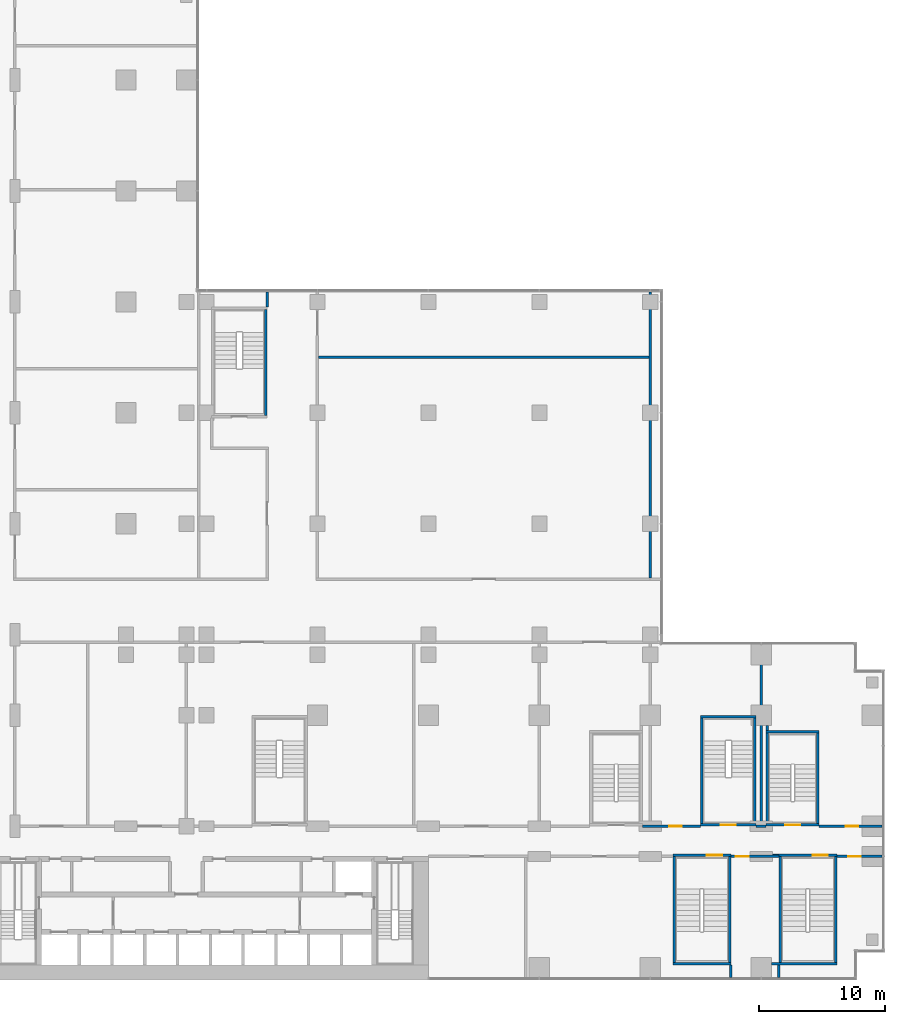
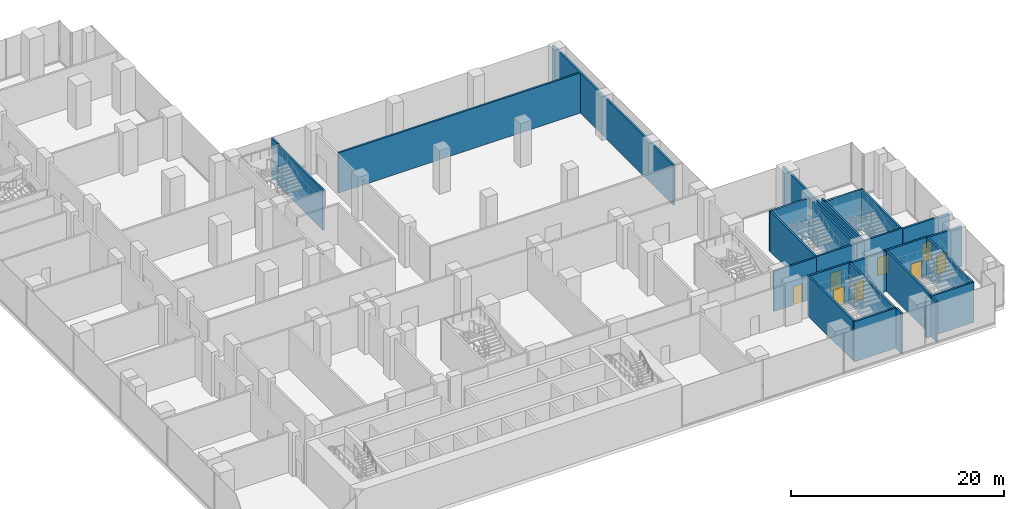
# One storey, part 21 of 30: 28 walls, 8 doors, 8 openings.
"""IFC4 building model written with IfcOpenShell, lengths in metres."""

from ifc_helpers import new_model, si_unit, direction, frame, frame_2d, origin, place, context, subcontext, project, spatial, rectangle, extrude, material, layer, layer_set, type_object, element, fill, save


model = new_model("IFC4")

# Units and contexts
model_context = context("Model", 3, precision=1e-05, world=origin(), true_north=direction((0.0, 1.0)))
body_context = subcontext(model_context, "Body", "Model", "MODEL_VIEW")
ifc_project = project(units=[si_unit("LENGTHUNIT", "METRE"), si_unit("AREAUNIT", "SQUARE_METRE"), si_unit("VOLUMEUNIT", "CUBIC_METRE"), si_unit("PLANEANGLEUNIT", "RADIAN"), si_unit("MASSUNIT", "GRAM", prefix="KILO")], contexts=[model_context])

# Site, building, storey
site_placement = place(None, origin())
site = spatial("IfcSite", under=ifc_project, at=site_placement, CompositionType="ELEMENT")
building_placement = place(site_placement, origin())
building = spatial("IfcBuilding", under=site, at=building_placement, Name="Kemantara Hotel Tower", CompositionType="ELEMENT")
storey_placement = place(building_placement, frame((0.0, 0.0, 13.0)))
storey = spatial("IfcBuildingStorey", under=building, at=storey_placement, Name="L02", CompositionType="ELEMENT", Elevation=13.0)

# Wall, opening, door
ifc_material_1 = material(Name="Concrete fc 40 MPa", Category="concrete")
ifc_layer_1 = layer(ifc_material_1, 0.199951171875)
ifc_layer_set_1 = layer_set([ifc_layer_1], Name="Concrete fc 40 MPa")
wall_type_1 = type_object("IfcWallType", Name="Concrete stair wall 200 mm", PredefinedType="SHEAR", material=ifc_layer_set_1)
wall_1_placement = place(storey_placement, frame((71.800048828125, 12.300048828125, 0.0), z_axis=(0.0, 0.0, 1.0), x_axis=(1.0, 0.0, 0.0)))
wall_1 = element("IfcWall", 1, at=wall_1_placement, inside=storey, type_object=wall_type_1, Name="Stair ST5 enclosure wall with door", PredefinedType="SHEAR", context=body_context, shape_type="SweptSolid", body=[
    extrude(rectangle(XDim=4.199951171875, YDim=0.199951171875, at=frame_2d((2.10009765625, 0.0))), origin(), (0.0, 0.0, 1.0), 4.60009765625),
])
opening_1_placement = place(wall_1_placement, frame((1.5, 0.0, 0.0)))
opening_1 = element("IfcOpeningElement", 2, at=opening_1_placement, cuts=wall_1, Name="Opening ST5-C", PredefinedType="OPENING", context=body_context, shape_type="SweptSolid", body=[
    extrude(rectangle(XDim=1.199951171875, YDim=2.10009765625, at=frame_2d((0.60009765625, 1.050048828125))), frame((0.0, 0.10986328125, 0.0), z_axis=(0.0, -1.0, 0.0), x_axis=(1.0, 0.0, 0.0)), (0.0, 0.0, 1.0), 0.219970703125),
])
ifc_material_2 = material(Name="Steel fire door", Category="steel")
door_type_1 = type_object("IfcDoorType", Name="Fire door FD90 1200 x 2100", OperationType="NOTDEFINED", PredefinedType="DOOR", material=ifc_material_2)
door_1_placement = place(opening_1_placement, origin())
door_1 = element("IfcDoor", 3, at=door_1_placement, inside=storey, type_object=door_type_1, Name="Stair ST5 door", OperationType="SINGLE_SWING_RIGHT", OverallHeight=2.10009765625, OverallWidth=1.199951171875, PredefinedType="DOOR", context=body_context, shape_type="SweptSolid", body=[
    extrude(rectangle(XDim=1.199951171875, YDim=2.10009765625, at=frame_2d((0.60009765625, 1.050048828125))), frame((0.0, 0.02490234375, 0.0), z_axis=(0.0, -1.0, 0.0), x_axis=(1.0, 0.0, 0.0)), (0.0, 0.0, 1.0), 0.050048828125),
])
fill(opening_1, door_1)

# Walls
wall_2_placement = place(storey_placement, frame((71.800048828125, 19.699951171875, 0.0), z_axis=(0.0, 0.0, 1.0), x_axis=(1.0, 0.0, 0.0)))
element("IfcWall", 4, at=wall_2_placement, inside=storey, type_object=wall_type_1, Name="Stair ST5 enclosure wall N", PredefinedType="SHEAR", context=body_context, shape_type="SweptSolid", body=[
    extrude(rectangle(XDim=4.199951171875, YDim=0.199951171875, at=frame_2d((2.10009765625, 0.0))), origin(), (0.0, 0.0, 1.0), 4.60009765625),
])
wall_3_placement = place(storey_placement, frame((71.89990234375, 12.39990234375, 0.0), z_axis=(0.0, 0.0, 1.0), x_axis=(0.0, 1.0, 0.0)))
element("IfcWall", 5, at=wall_3_placement, inside=storey, type_object=wall_type_1, Name="Stair ST5 enclosure wall W", PredefinedType="SHEAR", context=body_context, shape_type="SweptSolid", body=[
    extrude(rectangle(XDim=7.800048828125, YDim=0.199951171875, at=frame_2d((3.89990234375, 0.0))), origin(), (0.0, 0.0, 1.0), 4.60009765625),
])
wall_4_placement = place(storey_placement, frame((75.89990234375, 12.39990234375, 0.0), z_axis=(0.0, 0.0, 1.0), x_axis=(0.0, 1.0, 0.0)))
element("IfcWall", 6, at=wall_4_placement, inside=storey, type_object=wall_type_1, Name="Stair ST5 enclosure wall E", PredefinedType="SHEAR", context=body_context, shape_type="SweptSolid", body=[
    extrude(rectangle(XDim=7.2001953125, YDim=0.199951171875, at=frame_2d((3.60009765625, 0.0))), origin(), (0.0, 0.0, 1.0), 4.60009765625),
])

# Wall, opening, door
wall_5_placement = place(storey_placement, frame((66.60009765625, 12.300048828125, 0.0), z_axis=(0.0, 0.0, 1.0), x_axis=(1.0, 0.0, 0.0)))
wall_5 = element("IfcWall", 7, at=wall_5_placement, inside=storey, type_object=wall_type_1, Name="Stair PS1 enclosure wall with door", PredefinedType="SHEAR", context=body_context, shape_type="SweptSolid", body=[
    extrude(rectangle(XDim=4.39990234375, YDim=0.199951171875, at=frame_2d((2.199951171875, 0.0))), origin(), (0.0, 0.0, 1.0), 4.60009765625),
])
opening_2_placement = place(wall_5_placement, frame((1.60009765625, 0.0, 0.0)))
opening_2 = element("IfcOpeningElement", 8, at=opening_2_placement, cuts=wall_5, Name="Opening PS1-C", PredefinedType="OPENING", context=body_context, shape_type="SweptSolid", body=[
    extrude(rectangle(XDim=1.199951171875, YDim=2.10009765625, at=frame_2d((0.60009765625, 1.050048828125))), frame((0.0, 0.10986328125, 0.0), z_axis=(0.0, -1.0, 0.0), x_axis=(1.0, 0.0, 0.0)), (0.0, 0.0, 1.0), 0.219970703125),
])
door_2_placement = place(opening_2_placement, origin())
door_2 = element("IfcDoor", 9, at=door_2_placement, inside=storey, type_object=door_type_1, Name="Stair PS1 door", OperationType="SINGLE_SWING_RIGHT", OverallHeight=2.10009765625, OverallWidth=1.199951171875, PredefinedType="DOOR", context=body_context, shape_type="SweptSolid", body=[
    extrude(rectangle(XDim=1.199951171875, YDim=2.10009765625, at=frame_2d((0.60009765625, 1.050048828125))), frame((0.0, 0.02490234375, 0.0), z_axis=(0.0, -1.0, 0.0), x_axis=(1.0, 0.0, 0.0)), (0.0, 0.0, 1.0), 0.050048828125),
])
fill(opening_2, door_2)

# Walls
wall_6_placement = place(storey_placement, frame((66.60009765625, 20.89990234375, 0.0), z_axis=(0.0, 0.0, 1.0), x_axis=(1.0, 0.0, 0.0)))
element("IfcWall", 10, at=wall_6_placement, inside=storey, type_object=wall_type_1, Name="Stair PS1 enclosure wall N", PredefinedType="SHEAR", context=body_context, shape_type="SweptSolid", body=[
    extrude(rectangle(XDim=4.39990234375, YDim=0.199951171875, at=frame_2d((2.199951171875, 0.0))), origin(), (0.0, 0.0, 1.0), 4.60009765625),
])
for number, where, z_axis, x_axis, name in (
    (11, (66.699951171875, 12.39990234375, 0.0), (0.0, 0.0, 1.0), (0.0, 1.0, 0.0), "Stair PS1 enclosure wall W"),
    (12, (70.89990234375, 12.39990234375, 0.0), (0.0, 0.0, 1.0), (0.0, 1.0, 0.0), "Stair PS1 enclosure wall E"),
):
    element("IfcWall", number, at=place(storey_placement, frame(where, z_axis=z_axis, x_axis=x_axis)), inside=storey, type_object=wall_type_1, Name=name, PredefinedType="SHEAR", context=body_context, shape_type="SweptSolid", body=[
        extrude(rectangle(XDim=8.400146484375, YDim=0.199951171875, at=frame_2d((4.2001953125, 0.0))), origin(), (0.0, 0.0, 1.0), 4.60009765625),
    ])
wall_7_placement = place(storey_placement, frame((32.10009765625, 44.800048828125, 0.0), z_axis=(0.0, 0.0, 1.0), x_axis=(0.0, 1.0, 0.0)))
element("IfcWall", 13, at=wall_7_placement, inside=storey, type_object=wall_type_1, Name="Stair PS2 enclosure wall E", PredefinedType="SHEAR", context=body_context, shape_type="SweptSolid", body=[
    extrude(rectangle(XDim=8.39990234375, YDim=0.199951171875, at=frame_2d((4.199951171875, 0.0))), origin(), (0.0, 0.0, 1.0), 4.60009765625),
])

# Wall, opening, door
wall_8_placement = place(storey_placement, frame((64.39990234375, 9.89990234375, 0.0), z_axis=(0.0, 0.0, 1.0), x_axis=(1.0, 0.0, 0.0)))
wall_8 = element("IfcWall", 14, at=wall_8_placement, inside=storey, type_object=wall_type_1, Name="Stair PS4 enclosure wall with door", PredefinedType="SHEAR", context=body_context, shape_type="SweptSolid", body=[
    extrude(rectangle(XDim=4.60009765625, YDim=0.199951171875, at=frame_2d((2.300048828125, 0.0))), origin(), (0.0, 0.0, 1.0), 4.60009765625),
])
opening_3_placement = place(wall_8_placement, frame((2.699951171875, 0.0, 0.0)))
opening_3 = element("IfcOpeningElement", 15, at=opening_3_placement, cuts=wall_8, Name="Opening PS4-C", PredefinedType="OPENING", context=body_context, shape_type="SweptSolid", body=[
    extrude(rectangle(XDim=1.199951171875, YDim=2.10009765625, at=frame_2d((0.60009765625, 1.050048828125))), frame((0.0, 0.10986328125, 0.0), z_axis=(0.0, -1.0, 0.0), x_axis=(1.0, 0.0, 0.0)), (0.0, 0.0, 1.0), 0.219970703125),
])
door_3_placement = place(opening_3_placement, frame((1.199951171875, 0.0, 0.0), z_axis=(0.0, 0.0, 1.0), x_axis=(-1.0, 0.0, 0.0)))
door_3 = element("IfcDoor", 16, at=door_3_placement, inside=storey, type_object=door_type_1, Name="Stair PS4 door", OperationType="SINGLE_SWING_LEFT", OverallHeight=2.10009765625, OverallWidth=1.199951171875, PredefinedType="DOOR", context=body_context, shape_type="SweptSolid", body=[
    extrude(rectangle(XDim=1.199951171875, YDim=2.10009765625, at=frame_2d((0.60009765625, 1.050048828125))), frame((0.0, 0.02490234375, 0.0), z_axis=(0.0, -1.0, 0.0), x_axis=(1.0, 0.0, 0.0)), (0.0, 0.0, 1.0), 0.050048828125),
])
fill(opening_3, door_3)

# Walls
wall_9_placement = place(storey_placement, frame((64.39990234375, 1.300048828125, 0.0), z_axis=(0.0, 0.0, 1.0), x_axis=(1.0, 0.0, 0.0)))
element("IfcWall", 17, at=wall_9_placement, inside=storey, type_object=wall_type_1, Name="Stair PS4 enclosure wall S", PredefinedType="SHEAR", context=body_context, shape_type="SweptSolid", body=[
    extrude(rectangle(XDim=4.60009765625, YDim=0.199951171875, at=frame_2d((2.300048828125, 0.0))), origin(), (0.0, 0.0, 1.0), 4.60009765625),
])
for number, where, z_axis, x_axis, name in (
    (18, (64.5, 1.39990234375, 0.0), (0.0, 0.0, 1.0), (0.0, 1.0, 0.0), "Stair PS4 enclosure wall W"),
    (19, (68.89990234375, 1.39990234375, 0.0), (0.0, 0.0, 1.0), (0.0, 1.0, 0.0), "Stair PS4 enclosure wall E"),
):
    element("IfcWall", number, at=place(storey_placement, frame(where, z_axis=z_axis, x_axis=x_axis)), inside=storey, type_object=wall_type_1, Name=name, PredefinedType="SHEAR", context=body_context, shape_type="SweptSolid", body=[
        extrude(rectangle(XDim=8.400146484375, YDim=0.199951171875, at=frame_2d((4.2001953125, 0.0))), origin(), (0.0, 0.0, 1.0), 4.60009765625),
    ])

# Wall, opening, door
wall_10_placement = place(storey_placement, frame((72.300048828125, 9.89990234375, 0.0), z_axis=(0.0, 0.0, 1.0), x_axis=(1.0, 0.0, 0.0)))
wall_10 = element("IfcWall", 20, at=wall_10_placement, inside=storey, type_object=wall_type_1, Name="Stair PS5 enclosure wall with door", PredefinedType="SHEAR", context=body_context, shape_type="SweptSolid", body=[
    extrude(rectangle(XDim=5.099853515625, YDim=0.199951171875, at=frame_2d((2.5498046875, 0.0))), origin(), (0.0, 0.0, 1.0), 4.60009765625),
])
opening_4_placement = place(wall_10_placement, frame((3.199951171875, 0.0, 0.0)))
opening_4 = element("IfcOpeningElement", 21, at=opening_4_placement, cuts=wall_10, Name="Opening PS5-C", PredefinedType="OPENING", context=body_context, shape_type="SweptSolid", body=[
    extrude(rectangle(XDim=1.199951171875, YDim=2.10009765625, at=frame_2d((0.60009765625, 1.050048828125))), frame((0.0, 0.10986328125, 0.0), z_axis=(0.0, -1.0, 0.0), x_axis=(1.0, 0.0, 0.0)), (0.0, 0.0, 1.0), 0.219970703125),
])
door_4_placement = place(opening_4_placement, frame((1.199951171875, 0.0, 0.0), z_axis=(0.0, 0.0, 1.0), x_axis=(-1.0, 0.0, 0.0)))
door_4 = element("IfcDoor", 22, at=door_4_placement, inside=storey, type_object=door_type_1, Name="Stair PS5 door", OperationType="SINGLE_SWING_LEFT", OverallHeight=2.10009765625, OverallWidth=1.199951171875, PredefinedType="DOOR", context=body_context, shape_type="SweptSolid", body=[
    extrude(rectangle(XDim=1.199951171875, YDim=2.10009765625, at=frame_2d((0.60009765625, 1.050048828125))), frame((0.0, 0.02490234375, 0.0), z_axis=(0.0, -1.0, 0.0), x_axis=(1.0, 0.0, 0.0)), (0.0, 0.0, 1.0), 0.050048828125),
])
fill(opening_4, door_4)

# Walls
wall_11_placement = place(storey_placement, frame((72.199951171875, 1.300048828125, 0.0), z_axis=(0.0, 0.0, 1.0), x_axis=(1.0, 0.0, 0.0)))
element("IfcWall", 23, at=wall_11_placement, inside=storey, type_object=wall_type_1, Name="Stair PS5 enclosure wall S", PredefinedType="SHEAR", context=body_context, shape_type="SweptSolid", body=[
    extrude(rectangle(XDim=5.199951171875, YDim=0.199951171875, at=frame_2d((2.60009765625, 0.0))), origin(), (0.0, 0.0, 1.0), 4.60009765625),
])
for number, where, z_axis, x_axis, name in (
    (24, (72.89990234375, 1.39990234375, 0.0), (0.0, 0.0, 1.0), (0.0, 1.0, 0.0), "Stair PS5 enclosure wall W"),
    (25, (77.300048828125, 1.39990234375, 0.0), (0.0, 0.0, 1.0), (0.0, 1.0, 0.0), "Stair PS5 enclosure wall E"),
):
    element("IfcWall", number, at=place(storey_placement, frame(where, z_axis=z_axis, x_axis=x_axis)), inside=storey, type_object=wall_type_1, Name=name, PredefinedType="SHEAR", context=body_context, shape_type="SweptSolid", body=[
        extrude(rectangle(XDim=8.400146484375, YDim=0.199951171875, at=frame_2d((4.2001953125, 0.0))), origin(), (0.0, 0.0, 1.0), 4.60009765625),
    ])
ifc_material_3 = material(Name="Clay brick masonry", Category="masonry")
ifc_layer_2 = layer(ifc_material_3, 0.199951171875)
ifc_layer_set_2 = layer_set([ifc_layer_2], Name="Clay brick masonry")
wall_type_2 = type_object("IfcWallType", Name="FIRE-RATED CLAY BRICK WALL 200 EI 120", PredefinedType="PARTITIONING", material=ifc_layer_set_2)
wall_12_placement = place(storey_placement, frame((62.60009765625, 31.89990234375, 0.0), z_axis=(0.0, 0.0, 1.0), x_axis=(0.0, 1.0, 0.0)))
element("IfcWall", 26, at=wall_12_placement, inside=storey, type_object=wall_type_2, Name="FIRE WALL", PredefinedType="PARTITIONING", context=body_context, shape_type="SweptSolid", body=[
    extrude(rectangle(XDim=22.7001953125, YDim=0.199951171875, at=frame_2d((11.35009765625, 0.0))), origin(), (0.0, 0.0, 1.0), 4.60009765625),
])

# Wall, opening, door
ifc_material_4 = material(Name="Fire-rated gypsum board partition")
ifc_layer_3 = layer(ifc_material_4, 0.199951171875)
ifc_layer_set_3 = layer_set([ifc_layer_3], Name="Fire-rated gypsum board partition")
wall_type_3 = type_object("IfcWallType", Name="FIRE-RATED GYPSUM PARTITION 200 EI 60", PredefinedType="PARTITIONING", material=ifc_layer_set_3)
wall_13_placement = place(storey_placement, frame((69.0, 9.800048828125, 0.0), z_axis=(0.0, 0.0, 1.0), x_axis=(1.0, 0.0, 0.0)))
wall_13 = element("IfcWall", 27, at=wall_13_placement, inside=storey, type_object=wall_type_3, Name="FIRE-RATED PARTITION", PredefinedType="PARTITIONING", context=body_context, shape_type="SweptSolid", body=[
    extrude(rectangle(XDim=3.800048828125, YDim=0.199951171875, at=frame_2d((1.89990234375, 0.0))), origin(), (0.0, 0.0, 1.0), 4.60009765625),
])
opening_5_placement = place(wall_13_placement, frame((0.39990234375, 0.0, 0.0)))
opening_5 = element("IfcOpeningElement", 28, at=opening_5_placement, cuts=wall_13, Name="Opening L02-B006", PredefinedType="OPENING", context=body_context, shape_type="SweptSolid", body=[
    extrude(rectangle(XDim=1.0, YDim=2.10009765625, at=frame_2d((0.5, 1.050048828125))), frame((0.0, 0.10986328125, 0.0), z_axis=(0.0, -1.0, 0.0), x_axis=(1.0, 0.0, 0.0)), (0.0, 0.0, 1.0), 0.219970703125),
])
ifc_material_5 = material(Name="Timber veneer door leaf", Category="wood")
door_type_2 = type_object("IfcDoorType", Name="SINGLE LEAF TIMBER DOOR 1000 X 2100", OperationType="SINGLE_SWING_LEFT", PredefinedType="DOOR", material=ifc_material_5)
door_5_placement = place(opening_5_placement, frame((1.0, 0.0, 0.0), z_axis=(0.0, 0.0, 1.0), x_axis=(-1.0, 0.0, 0.0)))
door_5 = element("IfcDoor", 29, at=door_5_placement, inside=storey, type_object=door_type_2, Name="SINGLE LEAF TIMBER DOOR", OperationType="SINGLE_SWING_RIGHT", OverallHeight=2.10009765625, OverallWidth=1.0, PredefinedType="DOOR", context=body_context, shape_type="SweptSolid", body=[
    extrude(rectangle(XDim=1.0, YDim=2.10009765625, at=frame_2d((0.5, 1.050048828125))), frame((0.0, 0.02490234375, 0.0), z_axis=(0.0, -1.0, 0.0), x_axis=(1.0, 0.0, 0.0)), (0.0, 0.0, 1.0), 0.050048828125),
])
fill(opening_5, door_5)

wall_14_placement = place(storey_placement, frame((77.39990234375, 9.800048828125, 0.0), z_axis=(0.0, 0.0, 1.0), x_axis=(1.0, 0.0, 0.0)))
wall_14 = element("IfcWall", 30, at=wall_14_placement, inside=storey, type_object=wall_type_3, Name="FIRE-RATED PARTITION", PredefinedType="PARTITIONING", context=body_context, shape_type="SweptSolid", body=[
    extrude(rectangle(XDim=3.60009765625, YDim=0.199951171875, at=frame_2d((1.800048828125, 0.0))), origin(), (0.0, 0.0, 1.0), 4.60009765625),
])
opening_6_placement = place(wall_14_placement, frame((0.89990234375, 0.0, 0.0)))
opening_6 = element("IfcOpeningElement", 31, at=opening_6_placement, cuts=wall_14, Name="Opening L02-B007", PredefinedType="OPENING", context=body_context, shape_type="SweptSolid", body=[
    extrude(rectangle(XDim=1.0, YDim=2.10009765625, at=frame_2d((0.5, 1.050048828125))), frame((0.0, 0.10986328125, 0.0), z_axis=(0.0, -1.0, 0.0), x_axis=(1.0, 0.0, 0.0)), (0.0, 0.0, 1.0), 0.219970703125),
])
door_6_placement = place(opening_6_placement, frame((1.0, 0.0, 0.0), z_axis=(0.0, 0.0, 1.0), x_axis=(-1.0, 0.0, 0.0)))
door_6 = element("IfcDoor", 32, at=door_6_placement, inside=storey, type_object=door_type_2, Name="SINGLE LEAF TIMBER DOOR", OperationType="SINGLE_SWING_RIGHT", OverallHeight=2.10009765625, OverallWidth=1.0, PredefinedType="DOOR", context=body_context, shape_type="SweptSolid", body=[
    extrude(rectangle(XDim=1.0, YDim=2.10009765625, at=frame_2d((0.5, 1.050048828125))), frame((0.0, 0.02490234375, 0.0), z_axis=(0.0, -1.0, 0.0), x_axis=(1.0, 0.0, 0.0)), (0.0, 0.0, 1.0), 0.050048828125),
])
fill(opening_6, door_6)

wall_15_placement = place(storey_placement, frame((62.0, 12.199951171875, 0.0), z_axis=(0.0, 0.0, 1.0), x_axis=(1.0, 0.0, 0.0)))
wall_15 = element("IfcWall", 33, at=wall_15_placement, inside=storey, type_object=wall_type_3, Name="FIRE-RATED PARTITION", PredefinedType="PARTITIONING", context=body_context, shape_type="SweptSolid", body=[
    extrude(rectangle(XDim=4.60009765625, YDim=0.199951171875, at=frame_2d((2.300048828125, 0.0))), origin(), (0.0, 0.0, 1.0), 4.60009765625),
])
opening_7_placement = place(wall_15_placement, frame((2.10009765625, 0.0, 0.0)))
opening_7 = element("IfcOpeningElement", 34, at=opening_7_placement, cuts=wall_15, Name="Opening L02-B027", PredefinedType="OPENING", context=body_context, shape_type="SweptSolid", body=[
    extrude(rectangle(XDim=1.0, YDim=2.10009765625, at=frame_2d((0.5, 1.050048828125))), frame((0.0, 0.10986328125, 0.0), z_axis=(0.0, -1.0, 0.0), x_axis=(1.0, 0.0, 0.0)), (0.0, 0.0, 1.0), 0.219970703125),
])
door_7_placement = place(opening_7_placement, origin())
door_7 = element("IfcDoor", 35, at=door_7_placement, inside=storey, type_object=door_type_2, Name="SINGLE LEAF TIMBER DOOR", OperationType="SINGLE_SWING_RIGHT", OverallHeight=2.10009765625, OverallWidth=1.0, PredefinedType="DOOR", context=body_context, shape_type="SweptSolid", body=[
    extrude(rectangle(XDim=1.0, YDim=2.10009765625, at=frame_2d((0.5, 1.050048828125))), frame((0.0, 0.02490234375, 0.0), z_axis=(0.0, -1.0, 0.0), x_axis=(1.0, 0.0, 0.0)), (0.0, 0.0, 1.0), 0.050048828125),
])
fill(opening_7, door_7)

# Wall
wall_16_placement = place(storey_placement, frame((71.0, 12.199951171875, 0.0), z_axis=(0.0, 0.0, 1.0), x_axis=(1.0, 0.0, 0.0)))
element("IfcWall", 36, at=wall_16_placement, inside=storey, type_object=wall_type_3, Name="FIRE-RATED PARTITION", PredefinedType="PARTITIONING", context=body_context, shape_type="SweptSolid", body=[
    extrude(rectangle(XDim=0.800048828125, YDim=0.199951171875, at=frame_2d((0.39990234375, 0.0))), origin(), (0.0, 0.0, 1.0), 4.60009765625),
])

# Wall, opening, door
wall_17_placement = place(storey_placement, frame((76.0, 12.199951171875, 0.0), z_axis=(0.0, 0.0, 1.0), x_axis=(1.0, 0.0, 0.0)))
wall_17 = element("IfcWall", 37, at=wall_17_placement, inside=storey, type_object=wall_type_3, Name="FIRE-RATED PARTITION", PredefinedType="PARTITIONING", context=body_context, shape_type="SweptSolid", body=[
    extrude(rectangle(XDim=5.0, YDim=0.199951171875, at=frame_2d((2.5, 0.0))), origin(), (0.0, 0.0, 1.0), 4.60009765625),
])
opening_8_placement = place(wall_17_placement, frame((2.10009765625, 0.0, 0.0)))
opening_8 = element("IfcOpeningElement", 38, at=opening_8_placement, cuts=wall_17, Name="Opening L02-B028", PredefinedType="OPENING", context=body_context, shape_type="SweptSolid", body=[
    extrude(rectangle(XDim=1.0, YDim=2.10009765625, at=frame_2d((0.5, 1.050048828125))), frame((0.0, 0.10986328125, 0.0), z_axis=(0.0, -1.0, 0.0), x_axis=(1.0, 0.0, 0.0)), (0.0, 0.0, 1.0), 0.219970703125),
])
door_8_placement = place(opening_8_placement, origin())
door_8 = element("IfcDoor", 39, at=door_8_placement, inside=storey, type_object=door_type_2, Name="SINGLE LEAF TIMBER DOOR", OperationType="SINGLE_SWING_RIGHT", OverallHeight=2.10009765625, OverallWidth=1.0, PredefinedType="DOOR", context=body_context, shape_type="SweptSolid", body=[
    extrude(rectangle(XDim=1.0, YDim=2.10009765625, at=frame_2d((0.5, 1.050048828125))), frame((0.0, 0.02490234375, 0.0), z_axis=(0.0, -1.0, 0.0), x_axis=(1.0, 0.0, 0.0)), (0.0, 0.0, 1.0), 0.050048828125),
])
fill(opening_8, door_8)

# Walls
ifc_material_6 = material(Name="Gypsum board partition")
ifc_layer_4 = layer(ifc_material_6, 0.199951171875)
ifc_layer_set_4 = layer_set([ifc_layer_4], Name="Gypsum board partition")
wall_type_4 = type_object("IfcWallType", Name="GYPSUM BOARD PARTITION 200", PredefinedType="PARTITIONING", material=ifc_layer_set_4)
wall_18_placement = place(storey_placement, frame((36.300048828125, 49.39990234375, 0.0), z_axis=(0.0, 0.0, 1.0), x_axis=(1.0, 0.0, 0.0)))
element("IfcWall", 40, at=wall_18_placement, inside=storey, type_object=wall_type_4, Name="PARTITION", PredefinedType="PARTITIONING", context=body_context, shape_type="SweptSolid", body=[
    extrude(rectangle(XDim=26.199951171875, YDim=0.199951171875, at=frame_2d((13.10009765625, 0.0))), origin(), (0.0, 0.0, 1.0), 4.60009765625),
])
wall_19_placement = place(storey_placement, frame((32.199951171875, 53.39990234375, 0.0), z_axis=(0.0, 0.0, 1.0), x_axis=(0.0, 1.0, 0.0)))
element("IfcWall", 41, at=wall_19_placement, inside=storey, type_object=wall_type_4, Name="PARTITION", PredefinedType="PARTITIONING", context=body_context, shape_type="SweptSolid", body=[
    extrude(rectangle(XDim=1.2001953125, YDim=0.199951171875, at=frame_2d((0.60009765625, 0.0))), origin(), (0.0, 0.0, 1.0), 4.60009765625),
])
for number, where, z_axis, x_axis, name in (
    (42, (69.0, 0.199951171875, 0.0), (0.0, 0.0, 1.0), (0.0, 1.0, 0.0), "PARTITION"),
    (43, (72.800048828125, 0.199951171875, 0.0), (0.0, 0.0, 1.0), (0.0, 1.0, 0.0), "PARTITION"),
):
    element("IfcWall", number, at=place(storey_placement, frame(where, z_axis=z_axis, x_axis=x_axis)), inside=storey, type_object=wall_type_4, Name=name, PredefinedType="PARTITIONING", context=body_context, shape_type="SweptSolid", body=[
        extrude(rectangle(XDim=1.0, YDim=0.199951171875, at=frame_2d((0.5, 0.0))), origin(), (0.0, 0.0, 1.0), 4.60009765625),
    ])
wall_20_placement = place(storey_placement, frame((71.39990234375, 12.300048828125, 0.0), z_axis=(0.0, 0.0, 1.0), x_axis=(0.0, 1.0, 0.0)))
element("IfcWall", 44, at=wall_20_placement, inside=storey, type_object=wall_type_4, Name="PARTITION", PredefinedType="PARTITIONING", context=body_context, shape_type="SweptSolid", body=[
    extrude(rectangle(XDim=14.300048828125, YDim=0.199951171875, at=frame_2d((7.14990234375, 0.0))), origin(), (0.0, 0.0, 1.0), 4.60009765625),
])

save(model, "model.ifc")
